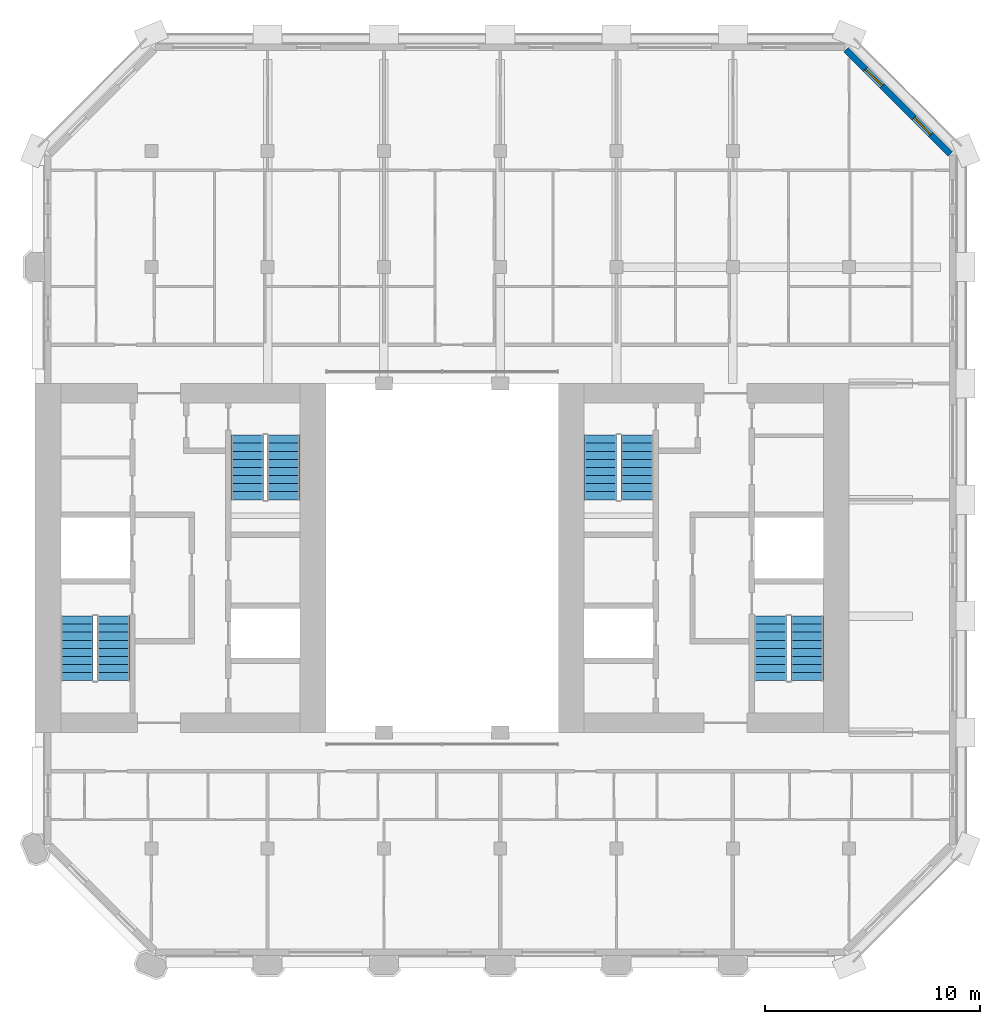
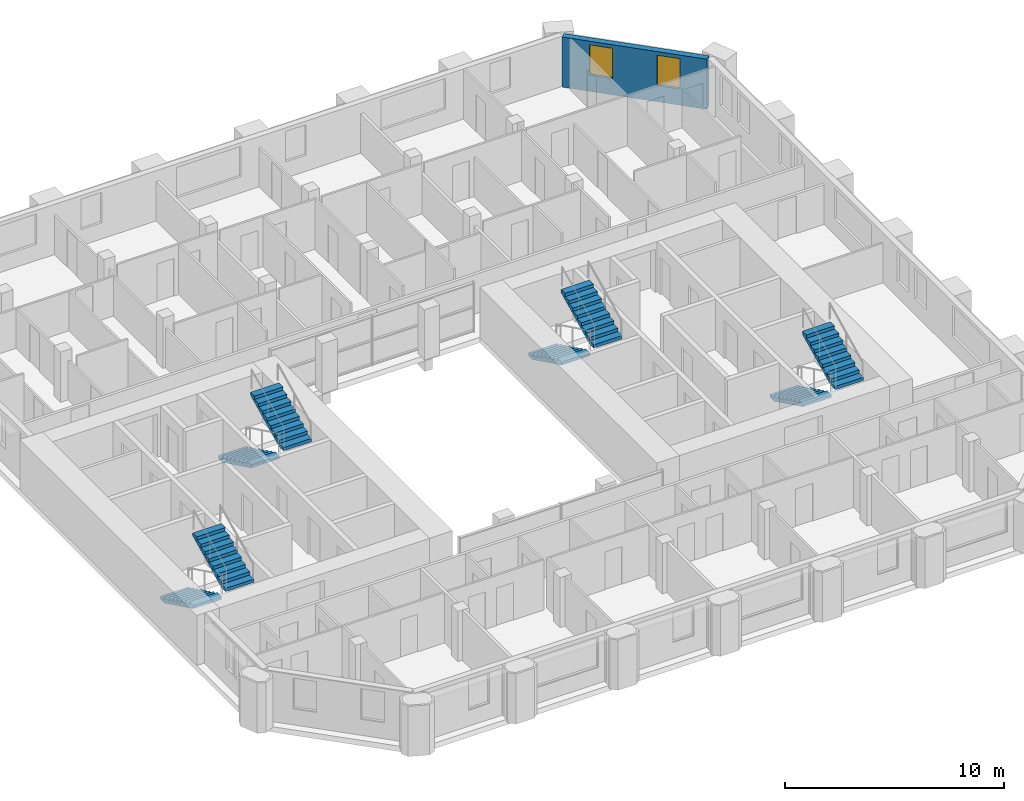
# One storey, part 10 of 13: 8 stair flights, 2 windows, 1 wall, 2 openings, 4 elements without a shape of their own.
"""IFC4 building model written with IfcOpenShell, lengths in metres."""

from ifc_helpers import new_model, si_unit, direction, frame, frame_2d, origin, place, context, subcontext, project, spatial, polyline, rectangle, outline, extrude, material, layer, layer_set, type_object, element, fill, aggregate, save


model = new_model("IFC4")

# Units and contexts
model_context = context("Model", 3, precision=1e-05, world=origin(), true_north=direction((0.0, 1.0)))
body_context = subcontext(model_context, "Body", "Model", "MODEL_VIEW")
ifc_project = project(units=[si_unit("LENGTHUNIT", "METRE"), si_unit("AREAUNIT", "SQUARE_METRE"), si_unit("VOLUMEUNIT", "CUBIC_METRE"), si_unit("PLANEANGLEUNIT", "RADIAN"), si_unit("MASSUNIT", "GRAM", prefix="KILO")], contexts=[model_context])

# Site, building, storey
site_placement = place(None, origin())
site = spatial("IfcSite", under=ifc_project, at=site_placement, CompositionType="ELEMENT")
building_placement = place(site_placement, origin())
building = spatial("IfcBuilding", under=site, at=building_placement, Name="Tabaq Tower and Sports Hall", CompositionType="ELEMENT")
storey_placement = place(building_placement, frame((0.0, 0.0, 304.89990234375)))
storey = spatial("IfcBuildingStorey", under=building, at=storey_placement, Name="L76", CompositionType="ELEMENT", Elevation=304.89990234375)

# Wall, openings, windows
ifc_material_1 = material(Name="White precast concrete C60/75", Category="concrete")
ifc_layer = layer(ifc_material_1, 0.300048828125)
ifc_layer_set = layer_set([ifc_layer], Name="White precast concrete C60/75 external wall 300")
wall_type = type_object("IfcWallType", Name="White precast concrete C60/75 external wall 300", PredefinedType="SOLIDWALL", material=ifc_layer_set)
wall_placement = place(storey_placement, frame((47.901123046875, 43.050537109375, 0.0), z_axis=(0.0, 0.0, 1.0), x_axis=(-0.707106781187, 0.707106781187, 0.0)))
wall = element("IfcWall", 1, at=wall_placement, inside=storey, type_object=wall_type, Name="External Wall L76 NE", PredefinedType="SOLIDWALL", context=body_context, shape_type="SweptSolid", body=[
    extrude(rectangle(XDim=6.85986328125, YDim=0.300048828125, at=frame_2d((3.429931640625, 0.0))), origin(), (0.0, 0.0, 1.0), 2.800048828125),
])
opening_1_placement = place(wall_placement, frame((1.27978515625, 0.0, 0.89990234375)))
opening_1 = element("IfcOpeningElement", 2, at=opening_1_placement, cuts=wall, Name="Opening W1B", PredefinedType="OPENING", context=body_context, shape_type="SweptSolid", body=[
    extrude(rectangle(XDim=1.10009765625, YDim=1.699951171875, at=frame_2d((0.550048828125, 0.85009765625))), frame((0.0, 0.16015625, 0.0), z_axis=(0.0, -1.0, 0.0), x_axis=(1.0, 0.0, 0.0)), (0.0, 0.0, 1.0), 0.320068359375),
])
opening_2_placement = place(wall_placement, frame((4.479736328125, 0.0, 0.89990234375)))
opening_2 = element("IfcOpeningElement", 3, at=opening_2_placement, cuts=wall, Name="Opening W1B", PredefinedType="OPENING", context=body_context, shape_type="SweptSolid", body=[
    extrude(rectangle(XDim=1.10009765625, YDim=1.699951171875, at=frame_2d((0.550048828125, 0.85009765625))), frame((0.0, 0.16015625, 0.0), z_axis=(0.0, -1.0, 0.0), x_axis=(1.0, 0.0, 0.0)), (0.0, 0.0, 1.0), 0.320068359375),
])
ifc_material_2 = material(Name="Aluminium framed clear glazing", Category="aluminium")
window_type = type_object("IfcWindowType", Name="Window W1B", PartitioningType="SINGLE_PANEL", PredefinedType="WINDOW", material=ifc_material_2)
window_1_placement = place(opening_1_placement, origin())
window_1 = element("IfcWindow", 4, at=window_1_placement, inside=storey, type_object=window_type, Name="Window W1B L76", OverallHeight=1.699951171875, OverallWidth=1.10009765625, PartitioningType="SINGLE_PANEL", PredefinedType="WINDOW", context=body_context, shape_type="SweptSolid", body=[
    extrude(rectangle(XDim=1.10009765625, YDim=1.699951171875, at=frame_2d((0.550048828125, 0.85009765625))), frame((0.0, 0.030029296875, 0.0), z_axis=(0.0, -1.0, 0.0), x_axis=(1.0, 0.0, 0.0)), (0.0, 0.0, 1.0), 0.06005859375),
])
fill(opening_1, window_1)
window_2_placement = place(opening_2_placement, origin())
window_2 = element("IfcWindow", 5, at=window_2_placement, inside=storey, type_object=window_type, Name="Window W1B L76", OverallHeight=1.699951171875, OverallWidth=1.10009765625, PartitioningType="SINGLE_PANEL", PredefinedType="WINDOW", context=body_context, shape_type="SweptSolid", body=[
    extrude(rectangle(XDim=1.10009765625, YDim=1.699951171875, at=frame_2d((0.550048828125, 0.85009765625))), frame((0.0, 0.030029296875, 0.0), z_axis=(0.0, -1.0, 0.0), x_axis=(1.0, 0.0, 0.0)), (0.0, 0.0, 1.0), 0.06005859375),
])
fill(opening_2, window_2)

# Stair, stair flights
ifc_material_3 = material(Name="Concrete C40/50", Category="concrete")
stair_type = type_object("IfcStairType", Name="Exit stair", PredefinedType="HALF_TURN_STAIR", material=ifc_material_3)
stair_1_placement = place(storey_placement, origin())
stair_1 = element("IfcStair", 6, at=stair_1_placement, inside=storey, type_object=stair_type, Name="L76 Exit stair ST1", PredefinedType="HALF_TURN_STAIR")
ifc_material_4 = material(Name="Concrete C40/50", Category="concrete")
stair_flight_type = type_object("IfcStairFlightType", Name="Exit stair flight", PredefinedType="STRAIGHT", material=ifc_material_4)
stair_flight_1_placement = place(storey_placement, frame((7.35009765625, 21.60009765625, 0.0), z_axis=(0.0, 0.0, 1.0), x_axis=(0.0, -1.0, 0.0)))
stair_flight_1 = element("IfcStairFlight", 7, at=stair_flight_1_placement, type_object=stair_flight_type, Name="ST1 flight 1", NumberOfRisers=9, NumberOfTreads=8, PredefinedType="STRAIGHT", RiserHeight=0.183333333, TreadLength=0.375, context=body_context, shape_type="SweptSolid", body=[
    extrude(outline(polyline([(0.0, 0.0), (0.0, 0.183349609375), (0.375, 0.183349609375), (0.375, 0.36669921875), (0.75, 0.36669921875), (0.75, 0.550048828125), (1.125, 0.550048828125), (1.125, 0.7333984375), (1.5, 0.7333984375), (1.5, 0.916748046875), (1.875, 0.916748046875), (1.875, 1.10009765625), (2.25, 1.10009765625), (2.25, 1.283447265625), (2.625, 1.283447265625), (2.625, 1.466552734375), (3.0, 1.466552734375), (3.0, 1.64990234375), (3.0, 1.2998046875), (0.34130859375, 0.0), (0.0, 0.0)])), frame((0.0, 0.75, 0.0), z_axis=(0.0, -1.0, 0.0), x_axis=(1.0, 0.0, 0.0)), (0.0, 0.0, 1.0), 1.5),
])
stair_flight_2_placement = place(storey_placement, frame((9.050048828125, 18.60009765625, 1.650146484375), z_axis=(0.0, 0.0, 1.0), x_axis=(0.0, 1.0, 0.0)))
stair_flight_2 = element("IfcStairFlight", 8, at=stair_flight_2_placement, type_object=stair_flight_type, Name="ST1 flight 2", NumberOfRisers=9, NumberOfTreads=8, PredefinedType="STRAIGHT", RiserHeight=0.183333333, TreadLength=0.375, context=body_context, shape_type="SweptSolid", body=[
    extrude(outline(polyline([(0.0, 0.0), (0.0, 0.183349609375), (0.375, 0.183349609375), (0.375, 0.36669921875), (0.75, 0.36669921875), (0.75, 0.550048828125), (1.125, 0.550048828125), (1.125, 0.7333984375), (1.5, 0.7333984375), (1.5, 0.916748046875), (1.875, 0.916748046875), (1.875, 1.10009765625), (2.25, 1.10009765625), (2.25, 1.283447265625), (2.625, 1.283447265625), (2.625, 1.466552734375), (3.0, 1.466552734375), (3.0, 1.64990234375), (3.0, 1.2998046875), (0.34130859375, 0.0), (0.0, 0.0)])), frame((0.0, 0.75, 0.0), z_axis=(0.0, -1.0, 0.0), x_axis=(1.0, 0.0, 0.0)), (0.0, 0.0, 1.0), 1.5),
])
aggregate(stair_1, [stair_flight_1, stair_flight_2])

stair_2_placement = place(storey_placement, origin())
stair_2 = element("IfcStair", 9, at=stair_2_placement, inside=storey, type_object=stair_type, Name="L76 Exit stair ST2", PredefinedType="HALF_TURN_STAIR")
stair_flight_3_placement = place(storey_placement, frame((15.25, 30.0, 0.0), z_axis=(0.0, 0.0, 1.0), x_axis=(0.0, -1.0, 0.0)))
stair_flight_3 = element("IfcStairFlight", 10, at=stair_flight_3_placement, type_object=stair_flight_type, Name="ST2 flight 1", NumberOfRisers=9, NumberOfTreads=8, PredefinedType="STRAIGHT", RiserHeight=0.183333333, TreadLength=0.375, context=body_context, shape_type="SweptSolid", body=[
    extrude(outline(polyline([(0.0, 0.0), (0.0, 0.183349609375), (0.375, 0.183349609375), (0.375, 0.36669921875), (0.75, 0.36669921875), (0.75, 0.550048828125), (1.125, 0.550048828125), (1.125, 0.7333984375), (1.5, 0.7333984375), (1.5, 0.916748046875), (1.875, 0.916748046875), (1.875, 1.10009765625), (2.25, 1.10009765625), (2.25, 1.283447265625), (2.625, 1.283447265625), (2.625, 1.466552734375), (3.0, 1.466552734375), (3.0, 1.64990234375), (3.0, 1.2998046875), (0.34130859375, 0.0), (0.0, 0.0)])), frame((0.0, 0.75, 0.0), z_axis=(0.0, -1.0, 0.0), x_axis=(1.0, 0.0, 0.0)), (0.0, 0.0, 1.0), 1.5),
])
stair_flight_4_placement = place(storey_placement, frame((16.949951171875, 27.0, 1.650146484375), z_axis=(0.0, 0.0, 1.0), x_axis=(0.0, 1.0, 0.0)))
stair_flight_4 = element("IfcStairFlight", 11, at=stair_flight_4_placement, type_object=stair_flight_type, Name="ST2 flight 2", NumberOfRisers=9, NumberOfTreads=8, PredefinedType="STRAIGHT", RiserHeight=0.183333333, TreadLength=0.375, context=body_context, shape_type="SweptSolid", body=[
    extrude(outline(polyline([(0.0, 0.0), (0.0, 0.183349609375), (0.375, 0.183349609375), (0.375, 0.36669921875), (0.75, 0.36669921875), (0.75, 0.550048828125), (1.125, 0.550048828125), (1.125, 0.7333984375), (1.5, 0.7333984375), (1.5, 0.916748046875), (1.875, 0.916748046875), (1.875, 1.10009765625), (2.25, 1.10009765625), (2.25, 1.283447265625), (2.625, 1.283447265625), (2.625, 1.466552734375), (3.0, 1.466552734375), (3.0, 1.64990234375), (3.0, 1.2998046875), (0.34130859375, 0.0), (0.0, 0.0)])), frame((0.0, 0.75, 0.0), z_axis=(0.0, -1.0, 0.0), x_axis=(1.0, 0.0, 0.0)), (0.0, 0.0, 1.0), 1.5),
])
aggregate(stair_2, [stair_flight_3, stair_flight_4])

stair_3_placement = place(storey_placement, origin())
stair_3 = element("IfcStair", 12, at=stair_3_placement, inside=storey, type_object=stair_type, Name="L76 Exit stair ST3", PredefinedType="HALF_TURN_STAIR")
stair_flight_5_placement = place(storey_placement, frame((39.550048828125, 21.60009765625, 0.0), z_axis=(0.0, 0.0, 1.0), x_axis=(0.0, -1.0, 0.0)))
stair_flight_5 = element("IfcStairFlight", 13, at=stair_flight_5_placement, type_object=stair_flight_type, Name="ST3 flight 1", NumberOfRisers=9, NumberOfTreads=8, PredefinedType="STRAIGHT", RiserHeight=0.183333333, TreadLength=0.375, context=body_context, shape_type="SweptSolid", body=[
    extrude(outline(polyline([(0.0, 0.0), (0.0, 0.183349609375), (0.375, 0.183349609375), (0.375, 0.36669921875), (0.75, 0.36669921875), (0.75, 0.550048828125), (1.125, 0.550048828125), (1.125, 0.7333984375), (1.5, 0.7333984375), (1.5, 0.916748046875), (1.875, 0.916748046875), (1.875, 1.10009765625), (2.25, 1.10009765625), (2.25, 1.283447265625), (2.625, 1.283447265625), (2.625, 1.466552734375), (3.0, 1.466552734375), (3.0, 1.64990234375), (3.0, 1.2998046875), (0.34130859375, 0.0), (0.0, 0.0)])), frame((0.0, 0.75, 0.0), z_axis=(0.0, -1.0, 0.0), x_axis=(1.0, 0.0, 0.0)), (0.0, 0.0, 1.0), 1.5),
])
stair_flight_6_placement = place(storey_placement, frame((41.25, 18.60009765625, 1.650146484375), z_axis=(0.0, 0.0, 1.0), x_axis=(0.0, 1.0, 0.0)))
stair_flight_6 = element("IfcStairFlight", 14, at=stair_flight_6_placement, type_object=stair_flight_type, Name="ST3 flight 2", NumberOfRisers=9, NumberOfTreads=8, PredefinedType="STRAIGHT", RiserHeight=0.183333333, TreadLength=0.375, context=body_context, shape_type="SweptSolid", body=[
    extrude(outline(polyline([(0.0, 0.0), (0.0, 0.183349609375), (0.375, 0.183349609375), (0.375, 0.36669921875), (0.75, 0.36669921875), (0.75, 0.550048828125), (1.125, 0.550048828125), (1.125, 0.7333984375), (1.5, 0.7333984375), (1.5, 0.916748046875), (1.875, 0.916748046875), (1.875, 1.10009765625), (2.25, 1.10009765625), (2.25, 1.283447265625), (2.625, 1.283447265625), (2.625, 1.466552734375), (3.0, 1.466552734375), (3.0, 1.64990234375), (3.0, 1.2998046875), (0.34130859375, 0.0), (0.0, 0.0)])), frame((0.0, 0.75, 0.0), z_axis=(0.0, -1.0, 0.0), x_axis=(1.0, 0.0, 0.0)), (0.0, 0.0, 1.0), 1.5),
])
aggregate(stair_3, [stair_flight_5, stair_flight_6])

stair_4_placement = place(storey_placement, origin())
stair_4 = element("IfcStair", 15, at=stair_4_placement, inside=storey, type_object=stair_type, Name="L76 Exit stair ST4", PredefinedType="HALF_TURN_STAIR")
stair_flight_7_placement = place(storey_placement, frame((31.64990234375, 30.0, 0.0), z_axis=(0.0, 0.0, 1.0), x_axis=(0.0, -1.0, 0.0)))
stair_flight_7 = element("IfcStairFlight", 16, at=stair_flight_7_placement, type_object=stair_flight_type, Name="ST4 flight 1", NumberOfRisers=9, NumberOfTreads=8, PredefinedType="STRAIGHT", RiserHeight=0.183333333, TreadLength=0.375, context=body_context, shape_type="SweptSolid", body=[
    extrude(outline(polyline([(0.0, 0.0), (0.0, 0.183349609375), (0.375, 0.183349609375), (0.375, 0.36669921875), (0.75, 0.36669921875), (0.75, 0.550048828125), (1.125, 0.550048828125), (1.125, 0.7333984375), (1.5, 0.7333984375), (1.5, 0.916748046875), (1.875, 0.916748046875), (1.875, 1.10009765625), (2.25, 1.10009765625), (2.25, 1.283447265625), (2.625, 1.283447265625), (2.625, 1.466552734375), (3.0, 1.466552734375), (3.0, 1.64990234375), (3.0, 1.2998046875), (0.34130859375, 0.0), (0.0, 0.0)])), frame((0.0, 0.75, 0.0), z_axis=(0.0, -1.0, 0.0), x_axis=(1.0, 0.0, 0.0)), (0.0, 0.0, 1.0), 1.5),
])
stair_flight_8_placement = place(storey_placement, frame((33.35009765625, 27.0, 1.650146484375), z_axis=(0.0, 0.0, 1.0), x_axis=(0.0, 1.0, 0.0)))
stair_flight_8 = element("IfcStairFlight", 17, at=stair_flight_8_placement, type_object=stair_flight_type, Name="ST4 flight 2", NumberOfRisers=9, NumberOfTreads=8, PredefinedType="STRAIGHT", RiserHeight=0.183333333, TreadLength=0.375, context=body_context, shape_type="SweptSolid", body=[
    extrude(outline(polyline([(0.0, 0.0), (0.0, 0.183349609375), (0.375, 0.183349609375), (0.375, 0.36669921875), (0.75, 0.36669921875), (0.75, 0.550048828125), (1.125, 0.550048828125), (1.125, 0.7333984375), (1.5, 0.7333984375), (1.5, 0.916748046875), (1.875, 0.916748046875), (1.875, 1.10009765625), (2.25, 1.10009765625), (2.25, 1.283447265625), (2.625, 1.283447265625), (2.625, 1.466552734375), (3.0, 1.466552734375), (3.0, 1.64990234375), (3.0, 1.2998046875), (0.34130859375, 0.0), (0.0, 0.0)])), frame((0.0, 0.75, 0.0), z_axis=(0.0, -1.0, 0.0), x_axis=(1.0, 0.0, 0.0)), (0.0, 0.0, 1.0), 1.5),
])
aggregate(stair_4, [stair_flight_7, stair_flight_8])

save(model, "model.ifc")
